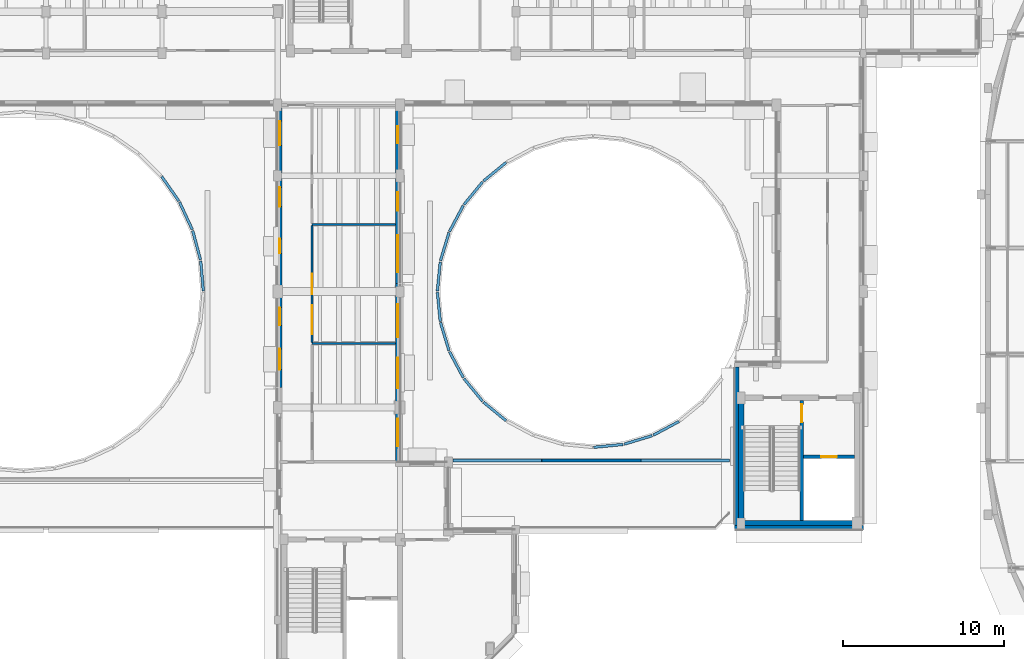
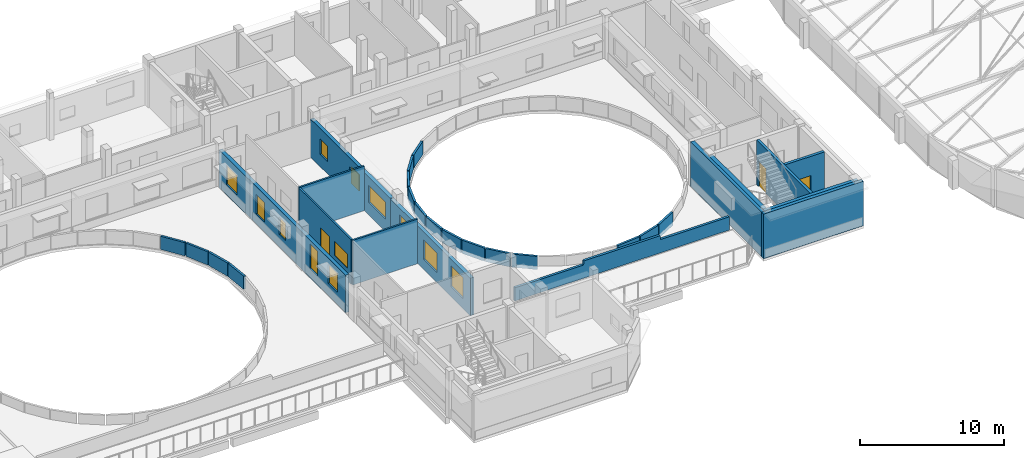
# One storey, part 62 of 78: 30 walls, 12 windows, 3 doors, 15 openings.
"""IFC4 building model written with IfcOpenShell, lengths in metres."""

import ifcopenshell
import ifcopenshell.guid

model = None  # the IFC model being written
_history = None  # IfcOwnerHistory: only IFC2X3 demands one
_inside = {}  # id of a spatial element -> (the spatial element, [elements in it])
_under = {}  # id of a project, library or spatial element -> (it, [spatial elements below it])
_declared = {}  # id of a project -> (the project, [libraries it declares])
_typed = {}  # id of a type object -> (the type object, [elements of that type])
_made_of = {}  # id of a material, layer set ... -> (it, [elements and type objects made of it])


def new_model(schema):
    """Start an empty IFC model of exactly this schema.

    Asked for "IFC4X3", IfcOpenShell would pick the latest addendum, in which some entities
    have other attributes; the version numbers below select the first issue.
    IFC2X3 requires an IfcOwnerHistory on every rooted entity: one is made here for all.
    """
    global model, _history
    if schema == "IFC4X3":
        model = ifcopenshell.file(schema_version=(4, 3, 0, 0))
    else:
        model = ifcopenshell.file(schema=schema)
    _inside.clear()
    _under.clear()
    _declared.clear()
    _typed.clear()
    _made_of.clear()
    _history = None
    if model.schema == "IFC2X3":
        org = make("IfcOrganization", Name="unknown")
        user = make(
            "IfcPersonAndOrganization",
            ThePerson=make("IfcPerson", FamilyName="unknown"),
            TheOrganization=org,
        )
        app = make(
            "IfcApplication",
            ApplicationDeveloper=org,
            Version="unknown",
            ApplicationFullName="unknown",
            ApplicationIdentifier="unknown",
        )
        _history = make(
            "IfcOwnerHistory",
            OwningUser=user,
            OwningApplication=app,
            ChangeAction="ADDED",
            CreationDate=0,
        )
    return model


def make(cls, **values):
    """One entity of the class cls with the attributes given. An attribute that is None is left unset."""
    return model.create_entity(
        cls, **{name: value for name, value in values.items() if value is not None}
    )


def rooted(cls, **values):
    """An entity with a GlobalId (a new one), such as an element, a storey or a relation."""
    return make(cls, GlobalId=ifcopenshell.guid.new(), OwnerHistory=_history, **values)


def si_unit(unit_type, name, prefix=None):
    """IfcSIUnit, for example si_unit("LENGTHUNIT", "METRE", prefix="MILLI")."""
    return make("IfcSIUnit", UnitType=unit_type, Prefix=prefix, Name=name)


def assignment(units):
    """IfcUnitAssignment: the units of a project."""
    return None if units is None else make("IfcUnitAssignment", Units=units)


def point(xyz):
    """IfcCartesianPoint."""
    return None if xyz is None else make("IfcCartesianPoint", Coordinates=xyz)


def direction(xyz):
    """IfcDirection."""
    return None if xyz is None else make("IfcDirection", DirectionRatios=xyz)


def frame(location, z_axis=None, x_axis=None):
    """IfcAxis2Placement3D, a coordinate frame: its origin and axes. An axis left out is left unset."""
    return make(
        "IfcAxis2Placement3D",
        Location=point(location),
        Axis=direction(z_axis),
        RefDirection=direction(x_axis),
    )


def frame_2d(location, x_axis=None):
    """IfcAxis2Placement2D, a coordinate frame in the plane: its origin and x axis."""
    return make(
        "IfcAxis2Placement2D", Location=point(location), RefDirection=direction(x_axis)
    )


def origin():
    """The frame at (0, 0, 0) with its axes left unset."""
    return frame((0.0, 0.0, 0.0))


def place(relative_to, where):
    """IfcLocalPlacement: puts the frame where relative to a parent placement (None: the world)."""
    return make(
        "IfcLocalPlacement", PlacementRelTo=relative_to, RelativePlacement=where
    )


def context(
    kind, dimensions, precision=None, world=None, true_north=None, identifier=None
):
    """IfcGeometricRepresentationContext, for example the 3D "Model" context."""
    return make(
        "IfcGeometricRepresentationContext",
        ContextIdentifier=identifier,
        ContextType=kind,
        CoordinateSpaceDimension=dimensions,
        Precision=precision,
        WorldCoordinateSystem=world,
        TrueNorth=true_north,
    )


def subcontext(parent, identifier, kind, view, scale=None):
    """IfcGeometricRepresentationSubContext, for example "Body" below "Model"."""
    return make(
        "IfcGeometricRepresentationSubContext",
        ContextIdentifier=identifier,
        ContextType=kind,
        ParentContext=parent,
        TargetScale=scale,
        TargetView=view,
    )


def project(units=None, contexts=None):
    """IfcProject with its units and contexts."""
    return rooted(
        "IfcProject",
        Name="project",
        RepresentationContexts=contexts,
        UnitsInContext=assignment(units),
    )


def spatial(cls, under=None, at=None, **own):
    """A site, building, storey or space (cls), placed at a placement, below another one or the project."""
    s = rooted(cls, ObjectPlacement=at, **own)
    if under is not None:
        _under.setdefault(under.id(), (under, []))[1].append(s)
    return s


def polyline(points):
    """IfcPolyline through the points."""
    return make("IfcPolyline", Points=[point(p) for p in points])


def profile(cls, at=None, kind="AREA", **sizes):
    """A parametric profile (cls). Its sizes go by their IFC names, for example OverallWidth=200.0."""
    return make(cls, ProfileType=kind, Position=at, **sizes)


def rectangle(**sizes):
    """IfcRectangleProfileDef."""
    return profile("IfcRectangleProfileDef", **sizes)


def outline(outer, holes=None, kind="AREA"):
    """IfcArbitraryClosedProfileDef: a profile drawn as a closed curve; with holes, ...WithVoids."""
    if holes is None:
        return make("IfcArbitraryClosedProfileDef", ProfileType=kind, OuterCurve=outer)
    return make(
        "IfcArbitraryProfileDefWithVoids",
        ProfileType=kind,
        OuterCurve=outer,
        InnerCurves=holes,
    )


def extrude(swept, where, along, depth):
    """IfcExtrudedAreaSolid: the profile swept, set in the frame where, extruded along a direction by depth."""
    return make(
        "IfcExtrudedAreaSolid",
        SweptArea=swept,
        Position=where,
        ExtrudedDirection=direction(along),
        Depth=depth,
    )


def shape(context_of_items, identifier, shape_type, items):
    """IfcShapeRepresentation: the items that make up one representation, for example the "Body"."""
    return make(
        "IfcShapeRepresentation",
        ContextOfItems=context_of_items,
        RepresentationIdentifier=identifier,
        RepresentationType=shape_type,
        Items=items,
    )


def material(Name=None, Category=None):
    """IfcMaterial."""
    return make("IfcMaterial", Name=Name, Category=Category)


def layer(
    of_material, thickness, ventilated=None, Name=None, Category=None, Priority=None
):
    """IfcMaterialLayer: one layer of a wall or slab, of a material (None: an air gap)."""
    return make(
        "IfcMaterialLayer",
        Material=of_material,
        LayerThickness=thickness,
        IsVentilated=ventilated,
        Name=Name,
        Category=Category,
        Priority=Priority,
    )


def layer_set(layers, Name=None):
    """IfcMaterialLayerSet."""
    return make("IfcMaterialLayerSet", MaterialLayers=layers, LayerSetName=Name)


def made_of(thing, what):
    """Note that an element or type object is made of a material, layer set ...; save() writes the relation."""
    if what is not None:
        _made_of.setdefault(what.id(), (what, []))[1].append(thing)
    return thing


def type_object(cls, material=None, **own):
    """A type object (cls), such as IfcWallType, which elements share."""
    return made_of(rooted(cls, **own), material)


def element(
    cls,
    number,
    at=None,
    inside=None,
    cuts=None,
    type_object=None,
    material=None,
    context=None,
    identifier="Body",
    shape_type=None,
    held_by="IfcProductDefinitionShape",
    body=None,
    shapes=None,
    **own,
):
    """One element of the class cls, such as IfcWall. Its Tag is "e" and its number.

    at: its placement. inside: the storey or other place that contains it. cuts: it is an
    opening in that element (IfcRelVoidsElement). A single representation is given by context,
    identifier, shape_type and body (its items); several are given by shapes. held_by: the class
    of the entity that holds the representations. save() writes the other relations.
    """
    e = rooted(cls, Tag="e%d" % number, ObjectPlacement=at, **own)
    if body is not None:
        shapes = [shape(context, identifier, shape_type, body)]
    if shapes is not None:
        e.Representation = make(held_by, Representations=shapes)
    if inside is not None:
        _inside.setdefault(inside.id(), (inside, []))[1].append(e)
    if cuts is not None:
        rooted(
            "IfcRelVoidsElement", RelatingBuildingElement=cuts, RelatedOpeningElement=e
        )
    if type_object is not None:
        _typed.setdefault(type_object.id(), (type_object, []))[1].append(e)
    return made_of(e, material)


def fill(opening, filler):
    """IfcRelFillsElement: the door or window that sits in an opening."""
    return rooted(
        "IfcRelFillsElement",
        RelatingOpeningElement=opening,
        RelatedBuildingElement=filler,
    )


def aggregate(whole, parts):
    """IfcRelAggregates: a whole, such as a stair, and the parts it consists of."""
    return rooted("IfcRelAggregates", RelatingObject=whole, RelatedObjects=parts)


def save(model, path):
    """Write the relations noted so far, then the file.

    IfcRelAggregates (storeys below a building ...), IfcRelContainedInSpatialStructure (elements
    in a storey), IfcRelDefinesByType, IfcRelAssociatesMaterial and IfcRelDeclares: one each for
    every whole, place, type object, material and project.
    """
    for whole, parts in _under.values():
        aggregate(whole, parts)
    for where, things in _inside.values():
        rooted(
            "IfcRelContainedInSpatialStructure",
            RelatedElements=things,
            RelatingStructure=where,
        )
    for kind, things in _typed.values():
        rooted("IfcRelDefinesByType", RelatedObjects=things, RelatingType=kind)
    for what, things in _made_of.values():
        rooted("IfcRelAssociatesMaterial", RelatedObjects=things, RelatingMaterial=what)
    for by, libraries in _declared.values():
        rooted("IfcRelDeclares", RelatingContext=by, RelatedDefinitions=libraries)
    model.write(path)


model = new_model("IFC4")

# Units and contexts
model_context = context("Model", 3, precision=1e-05, world=origin(), true_north=direction((0.0, 1.0)))
body_context = subcontext(model_context, "Body", "Model", "MODEL_VIEW")
ifc_project = project(units=[si_unit("LENGTHUNIT", "METRE"), si_unit("AREAUNIT", "SQUARE_METRE"), si_unit("VOLUMEUNIT", "CUBIC_METRE"), si_unit("PLANEANGLEUNIT", "RADIAN"), si_unit("MASSUNIT", "GRAM", prefix="KILO")], contexts=[model_context])

# Site, building, storey
site_placement = place(None, origin())
site = spatial("IfcSite", under=ifc_project, at=site_placement, CompositionType="ELEMENT")
building_placement = place(site_placement, origin())
building = spatial("IfcBuilding", under=site, at=building_placement, Name="Kelanivale Promenade Academy", CompositionType="ELEMENT")
storey_placement = place(building_placement, frame((0.0, 0.0, 16.199951171875)))
storey = spatial("IfcBuildingStorey", under=building, at=storey_placement, Name="L04", CompositionType="ELEMENT", Elevation=16.199951171875)

# Walls
ifc_material_1 = material(Name="Concrete C40/50", Category="concrete")
ifc_layer_1 = layer(ifc_material_1, 0.330078125)
ifc_layer_set_1 = layer_set([ifc_layer_1], Name="Concrete C40/50")
wall_type_1 = type_object("IfcWallType", Name="CW-S1 Wall 330mm", PredefinedType="SHEAR", material=ifc_layer_set_1)
wall_1_placement = place(storey_placement, frame((107.8349609375, 42.39990234375, 0.0), z_axis=(0.0, 0.0, 1.0), x_axis=(1.0, 0.0, 0.0)))
element("IfcWall", 1, at=wall_1_placement, inside=storey, type_object=wall_type_1, Name="CORE-3 RC shear wall S L04", PredefinedType="SHEAR", context=body_context, shape_type="SweptSolid", body=[
    extrude(rectangle(XDim=7.530029296875, YDim=0.330078125, at=frame_2d((3.76513671875, 0.0))), origin(), (0.0, 0.0, 1.0), 3.780029296875),
])
wall_2_placement = place(storey_placement, frame((108.0, 42.56494140625, 0.0), z_axis=(0.0, 0.0, 1.0), x_axis=(0.0, 1.0, 0.0)))
element("IfcWall", 2, at=wall_2_placement, inside=storey, type_object=wall_type_1, Name="CORE-3 RC shear wall W L04", PredefinedType="SHEAR", context=body_context, shape_type="SweptSolid", body=[
    extrude(rectangle(XDim=7.469970703125, YDim=0.330078125, at=frame_2d((3.73486328125, 0.0))), origin(), (0.0, 0.0, 1.0), 3.780029296875),
])

# Wall, opening, door
ifc_layer_2 = layer(ifc_material_1, 0.22509765625)
ifc_layer_set_2 = layer_set([ifc_layer_2], Name="Concrete C40/50")
wall_type_2 = type_object("IfcWallType", Name="CW-S2 Wall 225mm", PredefinedType="SHEAR", material=ifc_layer_set_2)
wall_3_placement = place(storey_placement, frame((111.885009765625, 46.530029296875, 0.0), z_axis=(0.0, 0.0, 1.0), x_axis=(1.0, 0.0, 0.0)))
wall_3 = element("IfcWall", 3, at=wall_3_placement, inside=storey, type_object=wall_type_2, Name="CORE-3 lift shaft front RC wall L04", PredefinedType="SHEAR", context=body_context, shape_type="SweptSolid", body=[
    extrude(rectangle(XDim=3.14990234375, YDim=0.22509765625, at=frame_2d((1.574951171875, 0.0))), origin(), (0.0, 0.0, 1.0), 3.780029296875),
])
opening_1_placement = place(wall_3_placement, frame((1.10009765625, 0.0, 0.0)))
opening_1 = element("IfcOpeningElement", 4, at=opening_1_placement, cuts=wall_3, Name="Opening LD-LF-FF3-L04", PredefinedType="OPENING", context=body_context, shape_type="SweptSolid", body=[
    extrude(rectangle(XDim=0.949951171875, YDim=2.14990234375, at=frame_2d((0.47509765625, 1.074951171875))), frame((0.0, 0.12255859375, 0.0), z_axis=(0.0, -1.0, 0.0), x_axis=(1.0, 0.0, 0.0)), (0.0, 0.0, 1.0), 0.2451171875),
])
ifc_material_2 = material(Name="Fire-rated steel-core teak veneer", Category="steel")
door_type_1 = type_object("IfcDoorType", Name="LD-FF1 Door 950x2150", OperationType="NOTDEFINED", PredefinedType="DOOR", material=ifc_material_2)
door_1_placement = place(opening_1_placement, origin())
door_1 = element("IfcDoor", 5, at=door_1_placement, inside=storey, type_object=door_type_1, Name="Firefighting lift landing door LD-LF-FF3-L04", OperationType="SLIDING_TO_LEFT", OverallHeight=2.14990234375, OverallWidth=0.949951171875, PredefinedType="DOOR", context=body_context, shape_type="SweptSolid", body=[
    extrude(rectangle(XDim=0.949951171875, YDim=2.14990234375, at=frame_2d((0.47509765625, 1.074951171875))), frame((0.0, 0.02490234375, 0.0), z_axis=(0.0, -1.0, 0.0), x_axis=(1.0, 0.0, 0.0)), (0.0, 0.0, 1.0), 0.050048828125),
])
fill(opening_1, door_1)

ifc_layer_3 = layer(ifc_material_1, 0.219970703125)
ifc_layer_set_3 = layer_set([ifc_layer_3], Name="Concrete C40/50")
wall_type_3 = type_object("IfcWallType", Name="CW-S3 Wall 220mm", PredefinedType="SHEAR", material=ifc_layer_set_3)
wall_4_placement = place(storey_placement, frame((111.77490234375, 42.56494140625, 0.0), z_axis=(0.0, 0.0, 1.0), x_axis=(0.0, 1.0, 0.0)))
wall_4 = element("IfcWall", 6, at=wall_4_placement, inside=storey, type_object=wall_type_3, Name="CORE-3 stair-lobby dividing RC wall L04", PredefinedType="SHEAR", context=body_context, shape_type="SweptSolid", body=[
    extrude(rectangle(XDim=7.469970703125, YDim=0.219970703125, at=frame_2d((3.73486328125, 0.0))), origin(), (0.0, 0.0, 1.0), 3.780029296875),
])
opening_2_placement = place(wall_4_placement, frame((6.1201171875, 0.0, 0.0)))
opening_2 = element("IfcOpeningElement", 7, at=opening_2_placement, cuts=wall_4, Name="Opening FD-CORE-3-SL-L04", PredefinedType="OPENING", context=body_context, shape_type="SweptSolid", body=[
    extrude(rectangle(XDim=1.10009765625, YDim=2.14990234375, at=frame_2d((0.550048828125, 1.074951171875))), frame((0.0, 0.1201171875, 0.0), z_axis=(0.0, -1.0, 0.0), x_axis=(1.0, 0.0, 0.0)), (0.0, 0.0, 1.0), 0.239990234375),
])
door_type_2 = type_object("IfcDoorType", Name="DT-F01 Door 1100x2150", OperationType="NOTDEFINED", PredefinedType="DOOR", material=ifc_material_2)
door_2_placement = place(opening_2_placement, origin())
door_2 = element("IfcDoor", 8, at=door_2_placement, inside=storey, type_object=door_type_2, Name="CORE-3 lobby-to-stair fire door L04", OperationType="SINGLE_SWING_LEFT", OverallHeight=2.14990234375, OverallWidth=1.10009765625, PredefinedType="DOOR", context=body_context, shape_type="SweptSolid", body=[
    extrude(rectangle(XDim=1.10009765625, YDim=2.14990234375, at=frame_2d((0.550048828125, 1.074951171875))), frame((0.0, 0.02490234375, 0.0), z_axis=(0.0, -1.0, 0.0), x_axis=(1.0, 0.0, 0.0)), (0.0, 0.0, 1.0), 0.050048828125),
])
fill(opening_2, door_2)

# Wall, openings, windows
ifc_material_3 = material(Name="Insulated ivory stucco masonry wall 280 mm", Category="masonry")
ifc_layer_4 = layer(ifc_material_3, 0.280029296875)
ifc_layer_set_4 = layer_set([ifc_layer_4], Name="Insulated ivory stucco masonry wall 280 mm")
wall_type_4 = type_object("IfcWallType", Name="EW-02 Wall 280mm", PredefinedType="SOLIDWALL", material=ifc_layer_set_4)
wall_5_placement = place(storey_placement, frame((86.659912109375, 46.199951171875, 0.0), z_axis=(0.0, 0.0, 1.0), x_axis=(0.0, 1.0, 0.0)))
wall_5 = element("IfcWall", 9, at=wall_5_placement, inside=storey, type_object=wall_type_4, Name="L04 exterior facade wall EW-L04-ORT-0520", PredefinedType="SOLIDWALL", context=body_context, shape_type="SweptSolid", body=[
    extrude(rectangle(XDim=11.10009765625, YDim=0.280029296875, at=frame_2d((5.550048828125, 0.0))), origin(), (0.0, 0.0, 1.0), 3.175048828125),
])
opening_3_placement = place(wall_5_placement, frame((1.0, 0.0, 0.85009765625)))
opening_3 = element("IfcOpeningElement", 10, at=opening_3_placement, cuts=wall_5, Name="Opening WT-25", PredefinedType="OPENING", context=body_context, shape_type="SweptSolid", body=[
    extrude(rectangle(XDim=1.699951171875, YDim=1.75, at=frame_2d((0.85009765625, 0.875))), frame((0.0, 0.14990234375, 0.0), z_axis=(0.0, -1.0, 0.0), x_axis=(1.0, 0.0, 0.0)), (0.0, 0.0, 1.0), 0.300048828125),
])
opening_4_placement = place(wall_5_placement, frame((4.60009765625, 0.0, 0.85009765625)))
opening_4 = element("IfcOpeningElement", 11, at=opening_4_placement, cuts=wall_5, Name="Opening WT-26", PredefinedType="OPENING", context=body_context, shape_type="SweptSolid", body=[
    extrude(rectangle(XDim=1.89990234375, YDim=1.64990234375, at=frame_2d((0.949951171875, 0.824951171875))), frame((0.0, 0.14990234375, 0.0), z_axis=(0.0, -1.0, 0.0), x_axis=(1.0, 0.0, 0.0)), (0.0, 0.0, 1.0), 0.300048828125),
])
opening_5_placement = place(wall_5_placement, frame((7.77490234375, 0.0, 1.050048828125)))
opening_5 = element("IfcOpeningElement", 12, at=opening_5_placement, cuts=wall_5, Name="Opening WT-27", PredefinedType="OPENING", context=body_context, shape_type="SweptSolid", body=[
    extrude(rectangle(XDim=2.050048828125, YDim=1.550048828125, at=frame_2d((1.02490234375, 0.77490234375))), frame((0.0, 0.14990234375, 0.0), z_axis=(0.0, -1.0, 0.0), x_axis=(1.0, 0.0, 0.0)), (0.0, 0.0, 1.0), 0.300048828125),
])
ifc_material_4 = material(Name="Bronze anodised aluminium frame with low-E laminated glass", Category="aluminium")
window_type_1 = type_object("IfcWindowType", Name="WT-25 Window 1700x1750", PartitioningType="SINGLE_PANEL", PredefinedType="WINDOW", material=ifc_material_4)
window_1_placement = place(opening_3_placement, origin())
window_1 = element("IfcWindow", 13, at=window_1_placement, inside=storey, type_object=window_type_1, Name="Window WT-25", OverallHeight=1.75, OverallWidth=1.699951171875, PartitioningType="SINGLE_PANEL", PredefinedType="WINDOW", context=body_context, shape_type="SweptSolid", body=[
    extrude(rectangle(XDim=1.699951171875, YDim=1.75, at=frame_2d((0.85009765625, 0.875))), frame((0.0, 0.030029296875, 0.0), z_axis=(0.0, -1.0, 0.0), x_axis=(1.0, 0.0, 0.0)), (0.0, 0.0, 1.0), 0.06005859375),
])
fill(opening_3, window_1)
window_type_2 = type_object("IfcWindowType", Name="WT-26 Window 1900x1650", PartitioningType="SINGLE_PANEL", PredefinedType="WINDOW", material=ifc_material_4)
window_2_placement = place(opening_4_placement, origin())
window_2 = element("IfcWindow", 14, at=window_2_placement, inside=storey, type_object=window_type_2, Name="Window WT-26", OverallHeight=1.64990234375, OverallWidth=1.89990234375, PartitioningType="SINGLE_PANEL", PredefinedType="WINDOW", context=body_context, shape_type="SweptSolid", body=[
    extrude(rectangle(XDim=1.89990234375, YDim=1.64990234375, at=frame_2d((0.949951171875, 0.824951171875))), frame((0.0, 0.030029296875, 0.0), z_axis=(0.0, -1.0, 0.0), x_axis=(1.0, 0.0, 0.0)), (0.0, 0.0, 1.0), 0.06005859375),
])
fill(opening_4, window_2)
window_type_3 = type_object("IfcWindowType", Name="WT-27 Window 2050x1550", PartitioningType="SINGLE_PANEL", PredefinedType="WINDOW", material=ifc_material_4)
window_3_placement = place(opening_5_placement, origin())
window_3 = element("IfcWindow", 15, at=window_3_placement, inside=storey, type_object=window_type_3, Name="Window WT-27", OverallHeight=1.550048828125, OverallWidth=2.050048828125, PartitioningType="SINGLE_PANEL", PredefinedType="WINDOW", context=body_context, shape_type="SweptSolid", body=[
    extrude(rectangle(XDim=2.050048828125, YDim=1.550048828125, at=frame_2d((1.02490234375, 0.77490234375))), frame((0.0, 0.030029296875, 0.0), z_axis=(0.0, -1.0, 0.0), x_axis=(1.0, 0.0, 0.0)), (0.0, 0.0, 1.0), 0.06005859375),
])
fill(opening_5, window_3)

wall_6_placement = place(storey_placement, frame((86.659912109375, 57.300048828125, 0.0), z_axis=(0.0, 0.0, 1.0), x_axis=(0.0, 1.0, 0.0)))
wall_6 = element("IfcWall", 16, at=wall_6_placement, inside=storey, type_object=wall_type_4, Name="L04 exterior facade wall EW-L04-ORT-0521", PredefinedType="SOLIDWALL", context=body_context, shape_type="SweptSolid", body=[
    extrude(rectangle(XDim=11.099853515625, YDim=0.280029296875, at=frame_2d((5.5498046875, 0.0))), origin(), (0.0, 0.0, 1.0), 3.22509765625),
])
opening_6_placement = place(wall_6_placement, frame((0.699951171875, 0.0, 1.050048828125)))
opening_6 = element("IfcOpeningElement", 17, at=opening_6_placement, cuts=wall_6, Name="Opening WT-28", PredefinedType="OPENING", context=body_context, shape_type="SweptSolid", body=[
    extrude(rectangle(XDim=2.300048828125, YDim=1.449951171875, at=frame_2d((1.14990234375, 0.72509765625))), frame((0.0, 0.14990234375, 0.0), z_axis=(0.0, -1.0, 0.0), x_axis=(1.0, 0.0, 0.0)), (0.0, 0.0, 1.0), 0.300048828125),
])
opening_7_placement = place(wall_6_placement, frame((4.52490234375, 0.0, 1.050048828125)))
opening_7 = element("IfcOpeningElement", 18, at=opening_7_placement, cuts=wall_6, Name="Opening WT-29", PredefinedType="OPENING", context=body_context, shape_type="SweptSolid", body=[
    extrude(rectangle(XDim=1.14990234375, YDim=1.39990234375, at=frame_2d((0.574951171875, 0.699951171875))), frame((0.0, 0.14990234375, 0.0), z_axis=(0.0, -1.0, 0.0), x_axis=(1.0, 0.0, 0.0)), (0.0, 0.0, 1.0), 0.300048828125),
])
opening_8_placement = place(wall_6_placement, frame((8.72509765625, 0.0, 1.050048828125)))
opening_8 = element("IfcOpeningElement", 19, at=opening_8_placement, cuts=wall_6, Name="Opening WT-30", PredefinedType="OPENING", context=body_context, shape_type="SweptSolid", body=[
    extrude(rectangle(XDim=1.050048828125, YDim=1.300048828125, at=frame_2d((0.52490234375, 0.64990234375))), frame((0.0, 0.14990234375, 0.0), z_axis=(0.0, -1.0, 0.0), x_axis=(1.0, 0.0, 0.0)), (0.0, 0.0, 1.0), 0.300048828125),
])
window_type_4 = type_object("IfcWindowType", Name="WT-28 Window 2300x1450", PartitioningType="SINGLE_PANEL", PredefinedType="WINDOW", material=ifc_material_4)
window_4_placement = place(opening_6_placement, origin())
window_4 = element("IfcWindow", 20, at=window_4_placement, inside=storey, type_object=window_type_4, Name="Window WT-28", OverallHeight=1.449951171875, OverallWidth=2.300048828125, PartitioningType="SINGLE_PANEL", PredefinedType="WINDOW", context=body_context, shape_type="SweptSolid", body=[
    extrude(rectangle(XDim=2.300048828125, YDim=1.449951171875, at=frame_2d((1.14990234375, 0.72509765625))), frame((0.0, 0.030029296875, 0.0), z_axis=(0.0, -1.0, 0.0), x_axis=(1.0, 0.0, 0.0)), (0.0, 0.0, 1.0), 0.06005859375),
])
fill(opening_6, window_4)
window_type_5 = type_object("IfcWindowType", Name="WT-29 Window 1150x1400", PartitioningType="SINGLE_PANEL", PredefinedType="WINDOW", material=ifc_material_4)
window_5_placement = place(opening_7_placement, origin())
window_5 = element("IfcWindow", 21, at=window_5_placement, inside=storey, type_object=window_type_5, Name="Window WT-29", OverallHeight=1.39990234375, OverallWidth=1.14990234375, PartitioningType="SINGLE_PANEL", PredefinedType="WINDOW", context=body_context, shape_type="SweptSolid", body=[
    extrude(rectangle(XDim=1.14990234375, YDim=1.39990234375, at=frame_2d((0.574951171875, 0.699951171875))), frame((0.0, 0.030029296875, 0.0), z_axis=(0.0, -1.0, 0.0), x_axis=(1.0, 0.0, 0.0)), (0.0, 0.0, 1.0), 0.06005859375),
])
fill(opening_7, window_5)
window_type_6 = type_object("IfcWindowType", Name="WT-30 Window 1050x1300", PartitioningType="SINGLE_PANEL", PredefinedType="WINDOW", material=ifc_material_4)
window_6_placement = place(opening_8_placement, origin())
window_6 = element("IfcWindow", 22, at=window_6_placement, inside=storey, type_object=window_type_6, Name="Window WT-30", OverallHeight=1.300048828125, OverallWidth=1.050048828125, PartitioningType="SINGLE_PANEL", PredefinedType="WINDOW", context=body_context, shape_type="SweptSolid", body=[
    extrude(rectangle(XDim=1.050048828125, YDim=1.300048828125, at=frame_2d((0.52490234375, 0.64990234375))), frame((0.0, 0.030029296875, 0.0), z_axis=(0.0, -1.0, 0.0), x_axis=(1.0, 0.0, 0.0)), (0.0, 0.0, 1.0), 0.06005859375),
])
fill(opening_8, window_6)

# Walls
wall_7_placement = place(storey_placement, frame((107.739990234375, 52.1201171875, 0.0), z_axis=(0.0, 0.0, 1.0), x_axis=(0.0, -1.0, 0.0)))
element("IfcWall", 23, at=wall_7_placement, inside=storey, type_object=wall_type_4, Name="L04 exterior facade wall EW-L04-ORT-0526", PredefinedType="SOLIDWALL", context=body_context, shape_type="SweptSolid", body=[
    extrude(rectangle(XDim=9.840087890625, YDim=0.280029296875, at=frame_2d((4.919921875, 0.0))), origin(), (0.0, 0.0, 1.0), 3.780029296875),
])
wall_8_placement = place(storey_placement, frame((107.60009765625, 42.139892578125, 0.0), z_axis=(0.0, 0.0, 1.0), x_axis=(1.0, 0.0, 0.0)))
element("IfcWall", 24, at=wall_8_placement, inside=storey, type_object=wall_type_4, Name="L04 exterior facade wall EW-L04-ORT-0527", PredefinedType="SOLIDWALL", context=body_context, shape_type="SweptSolid", body=[
    extrude(rectangle(XDim=8.0, YDim=0.280029296875, at=frame_2d((4.0, 0.0))), origin(), (0.0, 0.0, 1.0), 3.780029296875),
])

# Wall, openings, windows
wall_9_placement = place(storey_placement, frame((79.340087890625, 68.39990234375, 0.0), z_axis=(0.0, 0.0, 1.0), x_axis=(0.0, -1.0, 0.0)))
wall_9 = element("IfcWall", 25, at=wall_9_placement, inside=storey, type_object=wall_type_4, Name="L04 exterior facade wall EW-L04-ORT-0552", PredefinedType="SOLIDWALL", context=body_context, shape_type="SweptSolid", body=[
    extrude(rectangle(XDim=17.559814453125, YDim=0.280029296875, at=frame_2d((8.77978515625, 0.0))), origin(), (0.0, 0.0, 1.0), 3.175048828125),
])
opening_9_placement = place(wall_9_placement, frame((1.006103515625, 0.0, 0.85009765625)))
opening_9 = element("IfcOpeningElement", 26, at=opening_9_placement, cuts=wall_9, Name="Opening WT-04", PredefinedType="OPENING", context=body_context, shape_type="SweptSolid", body=[
    extrude(rectangle(XDim=1.5, YDim=1.64990234375, at=frame_2d((0.75, 0.824951171875))), frame((0.0, 0.14990234375, 0.0), z_axis=(0.0, -1.0, 0.0), x_axis=(1.0, 0.0, 0.0)), (0.0, 0.0, 1.0), 0.300048828125),
])
opening_10_placement = place(wall_9_placement, frame((5.117919921875, 0.0, 0.85009765625)))
opening_10 = element("IfcOpeningElement", 27, at=opening_10_placement, cuts=wall_9, Name="Opening WT-05", PredefinedType="OPENING", context=body_context, shape_type="SweptSolid", body=[
    extrude(rectangle(XDim=1.199951171875, YDim=1.64990234375, at=frame_2d((0.60009765625, 0.824951171875))), frame((0.0, 0.14990234375, 0.0), z_axis=(0.0, -1.0, 0.0), x_axis=(1.0, 0.0, 0.0)), (0.0, 0.0, 1.0), 0.300048828125),
])
opening_11_placement = place(wall_9_placement, frame((8.330078125, 0.0, 1.050048828125)))
opening_11 = element("IfcOpeningElement", 28, at=opening_11_placement, cuts=wall_9, Name="Opening WT-06", PredefinedType="OPENING", context=body_context, shape_type="SweptSolid", body=[
    extrude(rectangle(XDim=0.89990234375, YDim=1.5, at=frame_2d((0.449951171875, 0.75))), frame((0.0, 0.14990234375, 0.0), z_axis=(0.0, -1.0, 0.0), x_axis=(1.0, 0.0, 0.0)), (0.0, 0.0, 1.0), 0.300048828125),
])
opening_12_placement = place(wall_9_placement, frame((12.592041015625, 0.0, 0.75)))
opening_12 = element("IfcOpeningElement", 29, at=opening_12_placement, cuts=wall_9, Name="Opening WT-17", PredefinedType="OPENING", context=body_context, shape_type="SweptSolid", body=[
    extrude(rectangle(XDim=1.10009765625, YDim=2.10009765625, at=frame_2d((0.550048828125, 1.050048828125))), frame((0.0, 0.14990234375, 0.0), z_axis=(0.0, -1.0, 0.0), x_axis=(1.0, 0.0, 0.0)), (0.0, 0.0, 1.0), 0.300048828125),
])
opening_13_placement = place(wall_9_placement, frame((15.154052734375, 0.0, 1.050048828125)))
opening_13 = element("IfcOpeningElement", 30, at=opening_13_placement, cuts=wall_9, Name="Opening WT-23", PredefinedType="OPENING", context=body_context, shape_type="SweptSolid", body=[
    extrude(rectangle(XDim=1.300048828125, YDim=1.60009765625, at=frame_2d((0.64990234375, 0.800048828125))), frame((0.0, 0.14990234375, 0.0), z_axis=(0.0, -1.0, 0.0), x_axis=(1.0, 0.0, 0.0)), (0.0, 0.0, 1.0), 0.300048828125),
])
window_type_7 = type_object("IfcWindowType", Name="WT-04 Window 1500x1650", PartitioningType="SINGLE_PANEL", PredefinedType="WINDOW", material=ifc_material_4)
window_7_placement = place(opening_9_placement, origin())
window_7 = element("IfcWindow", 31, at=window_7_placement, inside=storey, type_object=window_type_7, Name="Window WT-04", OverallHeight=1.64990234375, OverallWidth=1.5, PartitioningType="SINGLE_PANEL", PredefinedType="WINDOW", context=body_context, shape_type="SweptSolid", body=[
    extrude(rectangle(XDim=1.5, YDim=1.64990234375, at=frame_2d((0.75, 0.824951171875))), frame((0.0, 0.030029296875, 0.0), z_axis=(0.0, -1.0, 0.0), x_axis=(1.0, 0.0, 0.0)), (0.0, 0.0, 1.0), 0.06005859375),
])
fill(opening_9, window_7)
window_type_8 = type_object("IfcWindowType", Name="WT-05 Window 1200x1650", PartitioningType="SINGLE_PANEL", PredefinedType="WINDOW", material=ifc_material_4)
window_8_placement = place(opening_10_placement, origin())
window_8 = element("IfcWindow", 32, at=window_8_placement, inside=storey, type_object=window_type_8, Name="Window WT-05", OverallHeight=1.64990234375, OverallWidth=1.199951171875, PartitioningType="SINGLE_PANEL", PredefinedType="WINDOW", context=body_context, shape_type="SweptSolid", body=[
    extrude(rectangle(XDim=1.199951171875, YDim=1.64990234375, at=frame_2d((0.60009765625, 0.824951171875))), frame((0.0, 0.030029296875, 0.0), z_axis=(0.0, -1.0, 0.0), x_axis=(1.0, 0.0, 0.0)), (0.0, 0.0, 1.0), 0.06005859375),
])
fill(opening_10, window_8)
window_type_9 = type_object("IfcWindowType", Name="WT-06 Window 900x1500", PartitioningType="SINGLE_PANEL", PredefinedType="WINDOW", material=ifc_material_4)
window_9_placement = place(opening_11_placement, origin())
window_9 = element("IfcWindow", 33, at=window_9_placement, inside=storey, type_object=window_type_9, Name="Window WT-06", OverallHeight=1.5, OverallWidth=0.89990234375, PartitioningType="SINGLE_PANEL", PredefinedType="WINDOW", context=body_context, shape_type="SweptSolid", body=[
    extrude(rectangle(XDim=0.89990234375, YDim=1.5, at=frame_2d((0.449951171875, 0.75))), frame((0.0, 0.030029296875, 0.0), z_axis=(0.0, -1.0, 0.0), x_axis=(1.0, 0.0, 0.0)), (0.0, 0.0, 1.0), 0.06005859375),
])
fill(opening_11, window_9)
window_type_10 = type_object("IfcWindowType", Name="WT-17 Window 1100x2100", PartitioningType="SINGLE_PANEL", PredefinedType="WINDOW", material=ifc_material_4)
window_10_placement = place(opening_12_placement, origin())
window_10 = element("IfcWindow", 34, at=window_10_placement, inside=storey, type_object=window_type_10, Name="Window WT-17", OverallHeight=2.10009765625, OverallWidth=1.10009765625, PartitioningType="SINGLE_PANEL", PredefinedType="WINDOW", context=body_context, shape_type="SweptSolid", body=[
    extrude(rectangle(XDim=1.10009765625, YDim=2.10009765625, at=frame_2d((0.550048828125, 1.050048828125))), frame((0.0, 0.030029296875, 0.0), z_axis=(0.0, -1.0, 0.0), x_axis=(1.0, 0.0, 0.0)), (0.0, 0.0, 1.0), 0.06005859375),
])
fill(opening_12, window_10)
window_type_11 = type_object("IfcWindowType", Name="WT-23 Window 1300x1600", PartitioningType="SINGLE_PANEL", PredefinedType="WINDOW", material=ifc_material_4)
window_11_placement = place(opening_13_placement, origin())
window_11 = element("IfcWindow", 35, at=window_11_placement, inside=storey, type_object=window_type_11, Name="Window WT-23", OverallHeight=1.60009765625, OverallWidth=1.300048828125, PartitioningType="SINGLE_PANEL", PredefinedType="WINDOW", context=body_context, shape_type="SweptSolid", body=[
    extrude(rectangle(XDim=1.300048828125, YDim=1.60009765625, at=frame_2d((0.64990234375, 0.800048828125))), frame((0.0, 0.030029296875, 0.0), z_axis=(0.0, -1.0, 0.0), x_axis=(1.0, 0.0, 0.0)), (0.0, 0.0, 1.0), 0.06005859375),
])
fill(opening_13, window_11)

# Walls
ifc_material_5 = material(Name="Acoustic double-stud gypsum board partition 140 mm", Category="masonry")
ifc_layer_5 = layer(ifc_material_5, 0.139892578125)
ifc_layer_set_5 = layer_set([ifc_layer_5], Name="Acoustic double-stud gypsum board partition 140 mm")
wall_type_5 = type_object("IfcWallType", Name="IW-04 Wall 140mm", PredefinedType="PARTITIONING", material=ifc_layer_set_5)
for number, where, z_axis, x_axis, name in (
    (36, (86.52197265625, 53.570068359375, 0.0), (0.0, 0.0, 1.0), (-1.0, 0.0, 0.0), "L04 partition Sixth Form Classroom"),
    (37, (86.52197265625, 60.969970703125, 0.0), (0.0, 0.0, 1.0), (-1.0, 0.0, 0.0), "L04 partition ICT Computing Studio"),
):
    element("IfcWall", number, at=place(storey_placement, frame(where, z_axis=z_axis, x_axis=x_axis)), inside=storey, type_object=wall_type_5, Name=name, PredefinedType="PARTITIONING", context=body_context, shape_type="SweptSolid", body=[
        extrude(rectangle(XDim=5.19189453125, YDim=0.139892578125, at=frame_2d((2.595947265625, 0.0))), origin(), (0.0, 0.0, 1.0), 3.775146484375),
    ])

# Wall, openings, door, window
wall_10_placement = place(storey_placement, frame((81.330078125, 60.902099609375, 0.0), z_axis=(0.0, 0.0, 1.0), x_axis=(0.0, -1.0, 0.0)))
wall_10 = element("IfcWall", 38, at=wall_10_placement, inside=storey, type_object=wall_type_5, Name="L04 partition ICT Computing Studio", PredefinedType="PARTITIONING", context=body_context, shape_type="SweptSolid", body=[
    extrude(rectangle(XDim=7.26416015625, YDim=0.139892578125, at=frame_2d((3.632080078125, 0.0))), origin(), (0.0, 0.0, 1.0), 3.775146484375),
])
opening_14_placement = place(wall_10_placement, frame((3.007080078125, 0.0, 0.0)))
opening_14 = element("IfcOpeningElement", 39, at=opening_14_placement, cuts=wall_10, Name="Opening ID-L04-180", PredefinedType="OPENING", context=body_context, shape_type="SweptSolid", body=[
    extrude(rectangle(XDim=1.25, YDim=2.219970703125, at=frame_2d((0.625, 1.10986328125))), frame((0.0, 0.080078125, 0.0), z_axis=(0.0, -1.0, 0.0), x_axis=(1.0, 0.0, 0.0)), (0.0, 0.0, 1.0), 0.159912109375),
])
opening_15_placement = place(wall_10_placement, frame((4.95703125, 0.0, 1.050048828125)))
opening_15 = element("IfcOpeningElement", 40, at=opening_15_placement, cuts=wall_10, Name="Opening WT-I02", PredefinedType="OPENING", context=body_context, shape_type="SweptSolid", body=[
    extrude(rectangle(XDim=1.800048828125, YDim=1.199951171875, at=frame_2d((0.89990234375, 0.60009765625))), frame((0.0, 0.080078125, 0.0), z_axis=(0.0, -1.0, 0.0), x_axis=(1.0, 0.0, 0.0)), (0.0, 0.0, 1.0), 0.159912109375),
])
ifc_material_6 = material(Name="Solid-core tropical teak timber", Category="wood")
door_type_3 = type_object("IfcDoorType", Name="DT-I19 Door 1250x2220", OperationType="NOTDEFINED", PredefinedType="DOOR", material=ifc_material_6)
door_3_placement = place(opening_14_placement, origin())
door_3 = element("IfcDoor", 41, at=door_3_placement, inside=storey, type_object=door_type_3, Name="ICT Computing Studio door ID-L04-180", OperationType="SINGLE_SWING_RIGHT", OverallHeight=2.219970703125, OverallWidth=1.25, PredefinedType="DOOR", context=body_context, shape_type="SweptSolid", body=[
    extrude(rectangle(XDim=1.25, YDim=2.219970703125, at=frame_2d((0.625, 1.10986328125))), frame((0.0, 0.02490234375, 0.0), z_axis=(0.0, -1.0, 0.0), x_axis=(1.0, 0.0, 0.0)), (0.0, 0.0, 1.0), 0.050048828125),
])
fill(opening_14, door_3)
window_type_12 = type_object("IfcWindowType", Name="WT-I02 Window 1800x1200", PartitioningType="SINGLE_PANEL", PredefinedType="WINDOW", material=ifc_material_4)
window_12_placement = place(opening_15_placement, origin())
window_12 = element("IfcWindow", 42, at=window_12_placement, inside=storey, type_object=window_type_12, Name="Interior observation window WT-I02", OverallHeight=1.199951171875, OverallWidth=1.800048828125, PartitioningType="SINGLE_PANEL", PredefinedType="WINDOW", context=body_context, shape_type="SweptSolid", body=[
    extrude(rectangle(XDim=1.800048828125, YDim=1.199951171875, at=frame_2d((0.89990234375, 0.60009765625))), frame((0.0, 0.030029296875, 0.0), z_axis=(0.0, -1.0, 0.0), x_axis=(1.0, 0.0, 0.0)), (0.0, 0.0, 1.0), 0.06005859375),
])
fill(opening_15, window_12)

# Walls
ifc_material_7 = material(Name="Precast concrete C40/50", Category="concrete")
ifc_layer_6 = layer(ifc_material_7, 0.195068359375)
ifc_layer_set_6 = layer_set([ifc_layer_6], Name="Precast concrete C40/50")
wall_type_6 = type_object("IfcWallType", Name="PW-01 Wall 195mm", PredefinedType="PARAPET", material=ifc_layer_set_6)
wall_11_placement = place(storey_placement, frame((90.10400390625, 46.298095703125, 0.0), z_axis=(0.0, 0.0, 1.0), x_axis=(1.0, 0.0, 0.0)))
element("IfcWall", 43, at=wall_11_placement, inside=storey, type_object=wall_type_6, Name="L04 stepped Art Deco roof parapet", PredefinedType="PARAPET", context=body_context, shape_type="SweptSolid", body=[
    extrude(outline(polyline([(0.0, 0.0), (17.176025390625, 0.0), (17.176025390625, 1.1201171875), (11.679931640625, 1.1201171875), (11.6298828125, 1.4599609375), (5.5458984375, 1.4599609375), (5.49609375, 1.1201171875), (0.0, 1.1201171875), (0.0, 0.0)])), frame((0.0, 0.09765625, 0.0), z_axis=(0.0, -1.0, 0.0), x_axis=(1.0, 0.0, 0.0)), (0.0, 0.0, 1.0), 0.195068359375),
])
ifc_layer_7 = layer(ifc_material_7, 0.1650390625)
ifc_layer_set_7 = layer_set([ifc_layer_7], Name="Precast concrete C40/50")
wall_type_7 = type_object("IfcWallType", Name="PW-02 Wall 165mm", PredefinedType="PARAPET", material=ifc_layer_set_7)
wall_12_placement = place(storey_placement, frame((74.576904296875, 56.840087890625, 0.0), z_axis=(0.0, 0.0, 1.0), x_axis=(-0.087695468254, 0.996147330894, 0.0)))
element("IfcWall", 44, at=wall_12_placement, inside=storey, type_object=wall_type_7, Name="L04 open courtyard roof parapet PW-02", PredefinedType="PARAPET", context=body_context, shape_type="SweptSolid", body=[
    extrude(rectangle(XDim=1.867919921875, YDim=0.1650390625, at=frame_2d((0.93408203125, 0.0))), origin(), (0.0, 0.0, 1.0), 1.1201171875),
])
wall_13_placement = place(storey_placement, frame((74.39990234375, 58.780029296875, 0.0), z_axis=(0.0, 0.0, 1.0), x_axis=(-0.258947232828, 0.965891469375, 0.0)))
element("IfcWall", 45, at=wall_13_placement, inside=storey, type_object=wall_type_7, Name="L04 open courtyard roof parapet PW-02", PredefinedType="PARAPET", context=body_context, shape_type="SweptSolid", body=[
    extrude(rectangle(XDim=1.86865234375, YDim=0.1650390625, at=frame_2d((0.934326171875, 0.0))), origin(), (0.0, 0.0, 1.0), 1.1201171875),
])
wall_14_placement = place(storey_placement, frame((73.888916015625, 60.659912109375, 0.0), z_axis=(0.0, 0.0, 1.0), x_axis=(-0.422542210919, 0.906343246233, 0.0)))
element("IfcWall", 46, at=wall_14_placement, inside=storey, type_object=wall_type_7, Name="L04 open courtyard roof parapet PW-02", PredefinedType="PARAPET", context=body_context, shape_type="SweptSolid", body=[
    extrude(rectangle(XDim=1.869140625, YDim=0.1650390625, at=frame_2d((0.9345703125, 0.0))), origin(), (0.0, 0.0, 1.0), 1.1201171875),
])
wall_15_placement = place(storey_placement, frame((73.05908203125, 62.423095703125, 0.0), z_axis=(0.0, 0.0, 1.0), x_axis=(-0.573576307319, 0.819152134638, 0.0)))
element("IfcWall", 47, at=wall_15_placement, inside=storey, type_object=wall_type_7, Name="L04 open courtyard roof parapet PW-02", PredefinedType="PARAPET", context=body_context, shape_type="SweptSolid", body=[
    extrude(rectangle(XDim=1.868896484375, YDim=0.1650390625, at=frame_2d((0.9345703125, 0.0))), origin(), (0.0, 0.0, 1.0), 1.1201171875),
])
for number, where, z_axis, x_axis, name in (
    (48, (93.39111328125, 64.823974609375, 0.0), (0.0, 0.0, 1.0), (-0.772747422974, -0.634713652198, 0.0), "L04 open courtyard roof parapet PW-02"),
    (49, (91.929931640625, 63.614013671875, 0.0), (0.0, 0.0, 1.0), (-0.634713652198, -0.772747422974, 0.0), "L04 open courtyard roof parapet PW-02"),
    (50, (90.73193359375, 62.14306640625, 0.0), (0.0, 0.0, 1.0), (-0.470797313753, -0.882241400844, 0.0), "L04 open courtyard roof parapet PW-02"),
    (51, (89.844970703125, 60.466064453125, 0.0), (0.0, 0.0, 1.0), (-0.28979866791, -0.957087630302, 0.0), "L04 open courtyard roof parapet PW-02"),
):
    element("IfcWall", number, at=place(storey_placement, frame(where, z_axis=z_axis, x_axis=x_axis)), inside=storey, type_object=wall_type_7, Name=name, PredefinedType="PARAPET", context=body_context, shape_type="SweptSolid", body=[
        extrude(rectangle(XDim=1.818115234375, YDim=0.1650390625, at=frame_2d((0.9091796875, 0.0))), origin(), (0.0, 0.0, 1.0), 1.1201171875),
    ])
wall_16_placement = place(storey_placement, frame((89.302001953125, 58.64794921875, 0.0), z_axis=(0.0, 0.0, 1.0), x_axis=(-0.097973370389, -0.995189036663, 0.0)))
element("IfcWall", 52, at=wall_16_placement, inside=storey, type_object=wall_type_7, Name="L04 open courtyard roof parapet PW-02", PredefinedType="PARAPET", context=body_context, shape_type="SweptSolid", body=[
    extrude(rectangle(XDim=1.816650390625, YDim=0.1650390625, at=frame_2d((0.908203125, 0.0))), origin(), (0.0, 0.0, 1.0), 1.1201171875),
])
wall_17_placement = place(storey_placement, frame((89.1240234375, 56.760009765625, 0.0), z_axis=(0.0, 0.0, 1.0), x_axis=(0.097960268426, -0.995190326425, 0.0)))
element("IfcWall", 53, at=wall_17_placement, inside=storey, type_object=wall_type_7, Name="L04 open courtyard roof parapet PW-02", PredefinedType="PARAPET", context=body_context, shape_type="SweptSolid", body=[
    extrude(rectangle(XDim=1.81689453125, YDim=0.1650390625, at=frame_2d((0.908447265625, 0.0))), origin(), (0.0, 0.0, 1.0), 1.1201171875),
])
for number, where, z_axis, x_axis, name in (
    (54, (89.318115234375, 54.8740234375, 0.0), (0.0, 0.0, 1.0), (0.28979866791, -0.957087630302, 0.0), "L04 open courtyard roof parapet PW-02"),
    (55, (89.8759765625, 53.06103515625, 0.0), (0.0, 0.0, 1.0), (0.470797313753, -0.882241400844, 0.0), "L04 open courtyard roof parapet PW-02"),
    (56, (90.77587890625, 51.39111328125, 0.0), (0.0, 0.0, 1.0), (0.634713652198, -0.772747422974, 0.0), "L04 open courtyard roof parapet PW-02"),
    (57, (91.986083984375, 49.929931640625, 0.0), (0.0, 0.0, 1.0), (0.772747422974, -0.634713652198, 0.0), "L04 open courtyard roof parapet PW-02"),
):
    element("IfcWall", number, at=place(storey_placement, frame(where, z_axis=z_axis, x_axis=x_axis)), inside=storey, type_object=wall_type_7, Name=name, PredefinedType="PARAPET", context=body_context, shape_type="SweptSolid", body=[
        extrude(rectangle(XDim=1.818115234375, YDim=0.1650390625, at=frame_2d((0.9091796875, 0.0))), origin(), (0.0, 0.0, 1.0), 1.1201171875),
    ])
wall_18_placement = place(storey_placement, frame((98.840087890625, 47.1240234375, 0.0), z_axis=(0.0, 0.0, 1.0), x_axis=(0.995189036663, 0.097973370389, 0.0)))
element("IfcWall", 58, at=wall_18_placement, inside=storey, type_object=wall_type_7, Name="L04 open courtyard roof parapet PW-02", PredefinedType="PARAPET", context=body_context, shape_type="SweptSolid", body=[
    extrude(rectangle(XDim=1.816650390625, YDim=0.1650390625, at=frame_2d((0.908203125, 0.0))), origin(), (0.0, 0.0, 1.0), 1.1201171875),
])
for number, where, z_axis, x_axis, name in (
    (59, (100.72607421875, 47.318115234375, 0.0), (0.0, 0.0, 1.0), (0.957087630302, 0.28979866791, 0.0), "L04 open courtyard roof parapet PW-02"),
    (60, (102.5390625, 47.8759765625, 0.0), (0.0, 0.0, 1.0), (0.882241400844, 0.470797313753, 0.0), "L04 open courtyard roof parapet PW-02"),
):
    element("IfcWall", number, at=place(storey_placement, frame(where, z_axis=z_axis, x_axis=x_axis)), inside=storey, type_object=wall_type_7, Name=name, PredefinedType="PARAPET", context=body_context, shape_type="SweptSolid", body=[
        extrude(rectangle(XDim=1.818115234375, YDim=0.1650390625, at=frame_2d((0.9091796875, 0.0))), origin(), (0.0, 0.0, 1.0), 1.1201171875),
    ])

save(model, "model.ifc")
